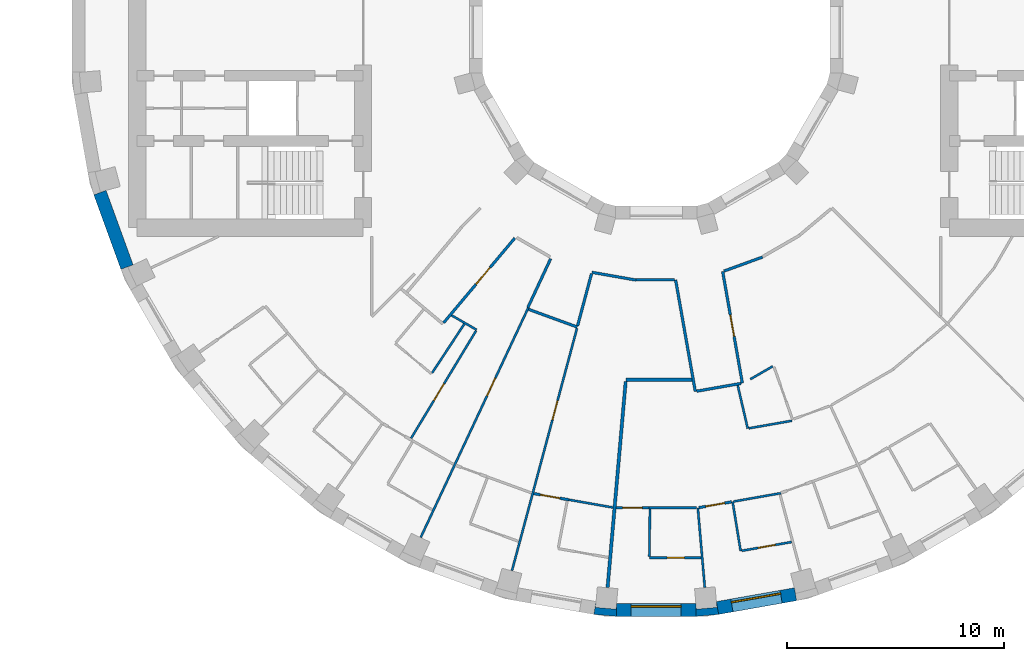
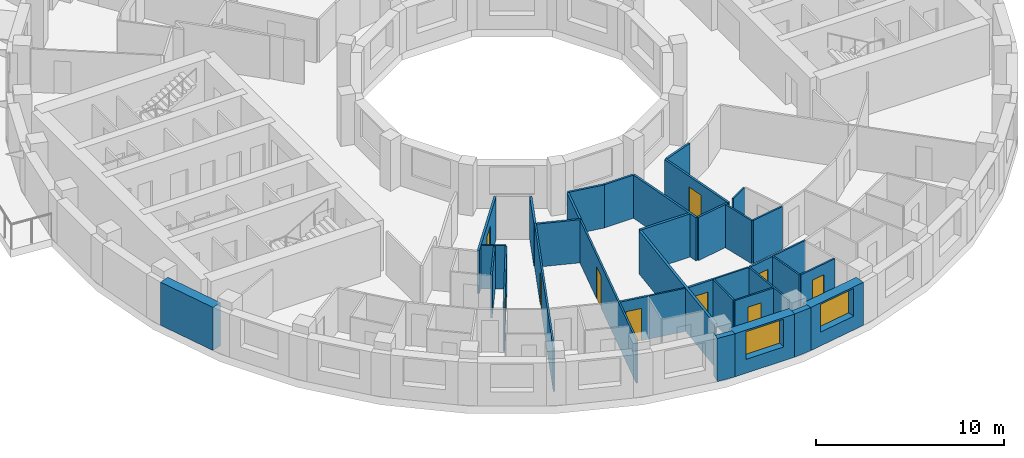
# One storey, part 5 of 14: 36 walls, 10 doors, 2 windows, 12 openings.
"""IFC4 building model written with IfcOpenShell, lengths in metres."""

from ifc_helpers import new_model, si_unit, direction, frame, frame_2d, origin, place, context, subcontext, project, spatial, polyline, rectangle, outline, extrude, material, layer, layer_set, type_object, element, fill, save


model = new_model("IFC4")

# Units and contexts
model_context = context("Model", 3, precision=1e-05, world=origin(), true_north=direction((0.0, 1.0)))
body_context = subcontext(model_context, "Body", "Model", "MODEL_VIEW")
ifc_project = project(units=[si_unit("LENGTHUNIT", "METRE"), si_unit("AREAUNIT", "SQUARE_METRE"), si_unit("VOLUMEUNIT", "CUBIC_METRE"), si_unit("PLANEANGLEUNIT", "RADIAN"), si_unit("MASSUNIT", "GRAM", prefix="KILO")], contexts=[model_context])

# Site, building, storey
site_placement = place(None, origin())
site = spatial("IfcSite", under=ifc_project, at=site_placement, CompositionType="ELEMENT")
building_placement = place(site_placement, origin())
building = spatial("IfcBuilding", under=site, at=building_placement, Name="Saqina Gate Tower", CompositionType="ELEMENT")
storey_placement = place(building_placement, frame((0.0, 0.0, 101.800048828125)))
storey = spatial("IfcBuildingStorey", under=building, at=storey_placement, Name="L28", CompositionType="ELEMENT", Elevation=101.800048828125)

# Walls
ifc_material_1 = material(Name="Brick masonry (buff)", Category="masonry")
wall_type_1 = type_object("IfcWallType", Name="BRICK PIER COPING BUFF", PredefinedType="SOLIDWALL", material=ifc_material_1)
wall_1_placement = place(storey_placement, origin())
element("IfcWall", 1, at=wall_1_placement, inside=storey, type_object=wall_type_1, Name="Pier cap L28 column 27", PredefinedType="SOLIDWALL", context=body_context, shape_type="SweptSolid", body=[
    extrude(outline(polyline([(-2.87451171875, -26.805419921875), (-1.823974609375, -26.897216796875), (-1.823974609375, -26.29736328125), (-1.847412109375, -26.565185546875), (-2.793701171875, -26.482421875), (-2.770263671875, -26.214599609375), (-2.87451171875, -26.805419921875)])), origin(), (0.0, 0.0, 1.0), 2.800048828125),
])
wall_2_placement = place(storey_placement, origin())
element("IfcWall", 2, at=wall_2_placement, inside=storey, type_object=wall_type_1, Name="Pier cap L28 column 28", PredefinedType="SOLIDWALL", context=body_context, shape_type="SweptSolid", body=[
    extrude(outline(polyline([(2.87451171875, -26.805419921875), (2.770263671875, -26.214599609375), (2.793701171875, -26.482421875), (1.847412109375, -26.565185546875), (1.823974609375, -26.29736328125), (1.823974609375, -26.897216796875), (2.87451171875, -26.805419921875)])), origin(), (0.0, 0.0, 1.0), 2.800048828125),
])

# Wall, opening, window
ifc_material_2 = material(Name="Brick masonry (buff)", Category="masonry")
ifc_layer_1 = layer(ifc_material_2, 0.60009765625)
ifc_layer_set_1 = layer_set([ifc_layer_1], Name="FW-BRICK-BUFF")
wall_type_2 = type_object("IfcWallType", Name="FW-BRICK-BUFF", PredefinedType="SOLIDWALL", material=ifc_layer_set_1)
wall_3_placement = place(storey_placement, frame((-1.823974609375, -26.59716796875, 0.0), z_axis=(0.0, 0.0, 1.0), x_axis=(1.0, 0.0, 0.0)))
wall_3 = element("IfcWall", 3, at=wall_3_placement, inside=storey, type_object=wall_type_2, Name="Facade wall L28 facet 27", PredefinedType="SOLIDWALL", context=body_context, shape_type="SweptSolid", body=[
    extrude(rectangle(XDim=3.64794921875, YDim=0.60009765625, at=frame_2d((1.823974609375, 0.0))), origin(), (0.0, 0.0, 1.0), 2.800048828125),
])
opening_1_placement = place(wall_3_placement, frame((0.673828125, 0.0, 0.89990234375)))
opening_1 = element("IfcOpeningElement", 4, at=opening_1_placement, cuts=wall_3, Name="Opening G08-W16", PredefinedType="OPENING", context=body_context, shape_type="SweptSolid", body=[
    extrude(rectangle(XDim=2.300048828125, YDim=1.800048828125, at=frame_2d((1.14990234375, 0.89990234375))), frame((0.0, 0.31201171875, 0.0), z_axis=(0.0, -1.0, 0.0), x_axis=(1.0, 0.0, 0.0)), (0.0, 0.0, 1.0), 0.6240234375),
])
ifc_material_3 = material(Name="Aluminium glazing", Category="aluminium")
window_type = type_object("IfcWindowType", Name="WN-B", PartitioningType="SINGLE_PANEL", PredefinedType="WINDOW", material=ifc_material_3)
window_1_placement = place(opening_1_placement, origin())
window_1 = element("IfcWindow", 5, at=window_1_placement, inside=storey, type_object=window_type, Name="Window L28 facet 27", OverallHeight=1.800048828125, OverallWidth=2.300048828125, PartitioningType="SINGLE_PANEL", PredefinedType="WINDOW", context=body_context, shape_type="SweptSolid", body=[
    extrude(rectangle(XDim=2.300048828125, YDim=1.800048828125, at=frame_2d((1.14990234375, 0.89990234375))), frame((0.0, 0.179931640625, 0.0), z_axis=(0.0, -1.0, 0.0), x_axis=(1.0, 0.0, 0.0)), (0.0, 0.0, 1.0), 0.06005859375),
])
fill(opening_1, window_1)

wall_4_placement = place(storey_placement, frame((2.822265625, -26.510009765625, 0.0), z_axis=(0.0, 0.0, 1.0), x_axis=(0.984803764455, 0.173670796382, 0.0)))
wall_4 = element("IfcWall", 6, at=wall_4_placement, inside=storey, type_object=wall_type_2, Name="Facade wall L28 facet 28", PredefinedType="SOLIDWALL", context=body_context, shape_type="SweptSolid", body=[
    extrude(rectangle(XDim=3.64794921875, YDim=0.60009765625, at=frame_2d((1.823974609375, 0.0))), origin(), (0.0, 0.0, 1.0), 2.800048828125),
])
opening_2_placement = place(wall_4_placement, frame((0.673828125, 0.0, 0.89990234375)))
opening_2 = element("IfcOpeningElement", 7, at=opening_2_placement, cuts=wall_4, Name="Opening G08-W17", PredefinedType="OPENING", context=body_context, shape_type="SweptSolid", body=[
    extrude(rectangle(XDim=2.300048828125, YDim=1.800048828125, at=frame_2d((1.14990234375, 0.89990234375))), frame((0.0, 0.31201171875, 0.0), z_axis=(0.0, -1.0, 0.0), x_axis=(1.0, 0.0, 0.0)), (0.0, 0.0, 1.0), 0.6240234375),
])
window_2_placement = place(opening_2_placement, origin())
window_2 = element("IfcWindow", 8, at=window_2_placement, inside=storey, type_object=window_type, Name="Window L28 facet 28", OverallHeight=1.800048828125, OverallWidth=2.300048828125, PartitioningType="SINGLE_PANEL", PredefinedType="WINDOW", context=body_context, shape_type="SweptSolid", body=[
    extrude(rectangle(XDim=2.300048828125, YDim=1.800048828125, at=frame_2d((1.14990234375, 0.89990234375))), frame((0.0, 0.179931640625, 0.0), z_axis=(0.0, -1.0, 0.0), x_axis=(1.0, 0.0, 0.0)), (0.0, 0.0, 1.0), 0.06005859375),
])
fill(opening_2, window_2)

# Walls
ifc_material_4 = material(Name="Glazed ceramic tile (white)", Category="ceramic")
ifc_layer_2 = layer(ifc_material_4, 0.60009765625)
ifc_layer_set_2 = layer_set([ifc_layer_2], Name="FW-TILE-WH")
wall_type_3 = type_object("IfcWallType", Name="FW-TILE-WH", PredefinedType="SOLIDWALL", material=ifc_layer_set_2)
wall_5_placement = place(storey_placement, frame((-25.616943359375, -7.3828125, 0.0), z_axis=(0.0, 0.0, 1.0), x_axis=(0.341990236633, -0.939703505393, 0.0)))
element("IfcWall", 9, at=wall_5_placement, inside=storey, type_object=wall_type_3, Name="Facade wall L28 facet 20", PredefinedType="SOLIDWALL", context=body_context, shape_type="SweptSolid", body=[
    extrude(rectangle(XDim=3.64794921875, YDim=0.60009765625, at=frame_2d((1.823974609375, 0.0))), origin(), (0.0, 0.0, 1.0), 2.800048828125),
])
ifc_material_5 = material(Name="Gypsum board on steel studs, 100 mm", Category="steel")
ifc_layer_3 = layer(ifc_material_5, 0.10009765625)
ifc_layer_set_3 = layer_set([ifc_layer_3], Name="PARTITION 100")
wall_type_4 = type_object("IfcWallType", Name="PARTITION 100", PredefinedType="PARTITIONING", material=ifc_layer_set_3)
wall_6_placement = place(storey_placement, frame((1.916015625, -21.89697265625, 0.0), z_axis=(0.0, 0.0, 1.0), x_axis=(0.087069954148, -0.996202199899, 0.0)))
element("IfcWall", 10, at=wall_6_placement, inside=storey, type_object=wall_type_4, Name="PARTITION PW3-02", PredefinedType="PARTITIONING", context=body_context, shape_type="SweptSolid", body=[
    extrude(rectangle(XDim=3.684326171875, YDim=0.10009765625, at=frame_2d((1.84228515625, 0.0))), origin(), (0.0, 0.0, 1.0), 2.800048828125),
])
wall_7_placement = place(storey_placement, frame((3.51806640625, -21.614990234375, 0.0), z_axis=(0.0, 0.0, 1.0), x_axis=(0.160403826344, -0.987051474085, 0.0)))
element("IfcWall", 11, at=wall_7_placement, inside=storey, type_object=wall_type_4, Name="PARTITION PW3-04", PredefinedType="PARTITIONING", context=body_context, shape_type="SweptSolid", body=[
    extrude(rectangle(XDim=2.2998046875, YDim=0.10009765625, at=frame_2d((1.14990234375, 0.0))), origin(), (0.0, 0.0, 1.0), 2.800048828125),
])
wall_8_placement = place(storey_placement, frame((3.752685546875, -16.258056640625, 0.0), z_axis=(0.0, 0.0, 1.0), x_axis=(0.22577693712, -0.974179025983, 0.0)))
element("IfcWall", 12, at=wall_8_placement, inside=storey, type_object=wall_type_4, Name="PARTITION PW3-06", PredefinedType="PARTITIONING", context=body_context, shape_type="SweptSolid", body=[
    extrude(rectangle(XDim=2.04052734375, YDim=0.10009765625, at=frame_2d((1.020263671875, 0.0))), origin(), (0.0, 0.0, 1.0), 2.800048828125),
])
wall_9_placement = place(storey_placement, frame((-9.421875, -13.03515625, 0.0), z_axis=(0.0, 0.0, 1.0), x_axis=(0.866041828806, -0.499971549949, 0.0)))
element("IfcWall", 13, at=wall_9_placement, inside=storey, type_object=wall_type_4, Name="PARTITION PW3-30", PredefinedType="PARTITIONING", context=body_context, shape_type="SweptSolid", body=[
    extrude(rectangle(XDim=1.3291015625, YDim=0.10009765625, at=frame_2d((0.66455078125, 0.0))), origin(), (0.0, 0.0, 1.0), 2.800048828125),
])
wall_10_placement = place(storey_placement, frame((-4.025390625, -21.52490234375, 0.0), z_axis=(0.0, 0.0, 1.0), x_axis=(0.984791880798, -0.173738169424, 0.0)))
element("IfcWall", 14, at=wall_10_placement, inside=storey, type_object=wall_type_4, Name="PARTITION PW3-38", PredefinedType="PARTITIONING", context=body_context, shape_type="SweptSolid", body=[
    extrude(rectangle(XDim=2.067138671875, YDim=0.10009765625, at=frame_2d((1.03369140625, 0.0))), origin(), (0.0, 0.0, 1.0), 2.800048828125),
])

# Wall, opening, door
wall_11_placement = place(storey_placement, frame((-0.319091796875, -24.197021484375, 0.0), z_axis=(0.0, 0.0, 1.0), x_axis=(1.0, 0.0, 0.0)))
wall_11 = element("IfcWall", 15, at=wall_11_placement, inside=storey, type_object=wall_type_4, Name="PARTITION PW3-42", PredefinedType="PARTITIONING", context=body_context, shape_type="SweptSolid", body=[
    extrude(rectangle(XDim=2.385986328125, YDim=0.10009765625, at=frame_2d((1.19287109375, 0.0))), origin(), (0.0, 0.0, 1.0), 2.800048828125),
])
opening_3_placement = place(wall_11_placement, frame((0.818115234375, 0.0, 0.0)))
opening_3 = element("IfcOpeningElement", 16, at=opening_3_placement, cuts=wall_11, Name="Opening G08-D38", PredefinedType="OPENING", context=body_context, shape_type="SweptSolid", body=[
    extrude(rectangle(XDim=0.800048828125, YDim=2.10009765625, at=frame_2d((0.39990234375, 1.050048828125))), frame((0.0, 0.06201171875, 0.0), z_axis=(0.0, -1.0, 0.0), x_axis=(1.0, 0.0, 0.0)), (0.0, 0.0, 1.0), 0.1240234375),
])
ifc_material_6 = material(Name="Timber door leaf, 800 mm", Category="wood")
door_type_1 = type_object("IfcDoorType", Name="DOOR 800 TIMBER", OperationType="SINGLE_SWING_LEFT", PredefinedType="DOOR", material=ifc_material_6)
door_1_placement = place(opening_3_placement, frame((0.800048828125, 0.0, 0.0), z_axis=(0.0, 0.0, 1.0), x_axis=(-1.0, 0.0, 0.0)))
door_1 = element("IfcDoor", 17, at=door_1_placement, inside=storey, type_object=door_type_1, Name="DOOR G08-D38", OperationType="SINGLE_SWING_LEFT", OverallHeight=2.10009765625, OverallWidth=0.800048828125, PredefinedType="DOOR", context=body_context, shape_type="SweptSolid", body=[
    extrude(rectangle(XDim=0.800048828125, YDim=2.10009765625, at=frame_2d((0.39990234375, 1.050048828125))), frame((0.0, 0.02490234375, 0.0), z_axis=(0.0, -1.0, 0.0), x_axis=(1.0, 0.0, 0.0)), (0.0, 0.0, 1.0), 0.050048828125),
])
fill(opening_3, door_1)

# Wall
wall_12_placement = place(storey_placement, frame((-0.339111328125, -21.89697265625, 0.0), z_axis=(0.0, 0.0, 1.0), x_axis=(1.0, 0.0, 0.0)))
element("IfcWall", 18, at=wall_12_placement, inside=storey, type_object=wall_type_4, Name="PARTITION PW3-43", PredefinedType="PARTITIONING", context=body_context, shape_type="SweptSolid", body=[
    extrude(rectangle(XDim=2.205078125, YDim=0.10009765625, at=frame_2d((1.1025390625, 0.0))), origin(), (0.0, 0.0, 1.0), 2.800048828125),
])

# Wall, opening, door
wall_13_placement = place(storey_placement, frame((3.936279296875, -23.876220703125, 0.0), z_axis=(0.0, 0.0, 1.0), x_axis=(0.98482979879, 0.173523103404, 0.0)))
wall_13 = element("IfcWall", 19, at=wall_13_placement, inside=storey, type_object=wall_type_4, Name="PARTITION PW3-47", PredefinedType="PARTITIONING", context=body_context, shape_type="SweptSolid", body=[
    extrude(rectangle(XDim=2.3369140625, YDim=0.10009765625, at=frame_2d((1.16845703125, 0.0))), origin(), (0.0, 0.0, 1.0), 2.800048828125),
])
opening_4_placement = place(wall_13_placement, frame((0.7685546875, 0.0, 0.0)))
opening_4 = element("IfcOpeningElement", 20, at=opening_4_placement, cuts=wall_13, Name="Opening G08-D40", PredefinedType="OPENING", context=body_context, shape_type="SweptSolid", body=[
    extrude(rectangle(XDim=0.800048828125, YDim=2.10009765625, at=frame_2d((0.39990234375, 1.050048828125))), frame((0.0, 0.06201171875, 0.0), z_axis=(0.0, -1.0, 0.0), x_axis=(1.0, 0.0, 0.0)), (0.0, 0.0, 1.0), 0.1240234375),
])
door_2_placement = place(opening_4_placement, frame((0.800048828125, 0.0, 0.0), z_axis=(0.0, 0.0, 1.0), x_axis=(-1.0, 0.0, 0.0)))
door_2 = element("IfcDoor", 21, at=door_2_placement, inside=storey, type_object=door_type_1, Name="DOOR G08-D40", OperationType="SINGLE_SWING_LEFT", OverallHeight=2.10009765625, OverallWidth=0.800048828125, PredefinedType="DOOR", context=body_context, shape_type="SweptSolid", body=[
    extrude(rectangle(XDim=0.800048828125, YDim=2.10009765625, at=frame_2d((0.39990234375, 1.050048828125))), frame((0.0, 0.02490234375, 0.0), z_axis=(0.0, -1.0, 0.0), x_axis=(1.0, 0.0, 0.0)), (0.0, 0.0, 1.0), 0.050048828125),
])
fill(opening_4, door_2)

# Walls
wall_14_placement = place(storey_placement, frame((3.567138671875, -21.606201171875, 0.0), z_axis=(0.0, 0.0, 1.0), x_axis=(0.984800270927, 0.173690605338, 0.0)))
element("IfcWall", 22, at=wall_14_placement, inside=storey, type_object=wall_type_4, Name="PARTITION PW3-48", PredefinedType="PARTITIONING", context=body_context, shape_type="SweptSolid", body=[
    extrude(rectangle(XDim=2.205322265625, YDim=0.10009765625, at=frame_2d((1.1025390625, 0.0))), origin(), (0.0, 0.0, 1.0), 2.800048828125),
])
wall_15_placement = place(storey_placement, frame((4.26318359375, -18.237060546875, 0.0), z_axis=(0.0, 0.0, 1.0), x_axis=(0.984827477251, 0.173536278777, 0.0)))
element("IfcWall", 23, at=wall_15_placement, inside=storey, type_object=wall_type_4, Name="PARTITION PW3-49", PredefinedType="PARTITIONING", context=body_context, shape_type="SweptSolid", body=[
    extrude(rectangle(XDim=2.01318359375, YDim=0.10009765625, at=frame_2d((1.006591796875, 0.0))), origin(), (0.0, 0.0, 1.0), 2.800048828125),
])
wall_16_placement = place(storey_placement, frame((4.331298828125, -15.976806640625, 0.0), z_axis=(0.0, 0.0, 1.0), x_axis=(0.86607987314, 0.499905644439, 0.0)))
element("IfcWall", 24, at=wall_16_placement, inside=storey, type_object=wall_type_4, Name="PARTITION PW3-64", PredefinedType="PARTITIONING", context=body_context, shape_type="SweptSolid", body=[
    extrude(rectangle(XDim=1.192138671875, YDim=0.10009765625, at=frame_2d((0.59619140625, 0.0))), origin(), (0.0, 0.0, 1.0), 2.800048828125),
])
wall_17_placement = place(storey_placement, frame((-10.319091796875, -15.684326171875, 0.0), z_axis=(0.0, 0.0, 1.0), x_axis=(0.549631473795, 0.835407231842, 0.0)))
element("IfcWall", 25, at=wall_17_placement, inside=storey, type_object=wall_type_4, Name="PARTITION PW3-79", PredefinedType="PARTITIONING", context=body_context, shape_type="SweptSolid", body=[
    extrude(rectangle(XDim=2.6953125, YDim=0.10009765625, at=frame_2d((1.34765625, 0.0))), origin(), (0.0, 0.0, 1.0), 2.800048828125),
])

# Wall, opening, door
wall_18_placement = place(storey_placement, frame((-11.287109375, -18.694580078125, 0.0), z_axis=(0.0, 0.0, 1.0), x_axis=(0.516964841348, 0.856006631288, 0.0)))
wall_18 = element("IfcWall", 26, at=wall_18_placement, inside=storey, type_object=wall_type_4, Name="PARTITION PW3-80", PredefinedType="PARTITIONING", context=body_context, shape_type="SweptSolid", body=[
    extrude(rectangle(XDim=5.7822265625, YDim=0.10009765625, at=frame_2d((2.89111328125, 0.0))), origin(), (0.0, 0.0, 1.0), 2.800048828125),
])
opening_5_placement = place(wall_18_placement, frame((2.034912109375, 0.0, 0.0)))
opening_5 = element("IfcOpeningElement", 27, at=opening_5_placement, cuts=wall_18, Name="Opening G08-D29", PredefinedType="OPENING", context=body_context, shape_type="SweptSolid", body=[
    extrude(rectangle(XDim=0.89990234375, YDim=2.10009765625, at=frame_2d((0.449951171875, 1.050048828125))), frame((0.0, 0.06201171875, 0.0), z_axis=(0.0, -1.0, 0.0), x_axis=(1.0, 0.0, 0.0)), (0.0, 0.0, 1.0), 0.1240234375),
])
ifc_material_7 = material(Name="Timber door leaf, 900 mm", Category="wood")
door_type_2 = type_object("IfcDoorType", Name="DOOR 900 TIMBER", OperationType="SINGLE_SWING_LEFT", PredefinedType="DOOR", material=ifc_material_7)
door_3_placement = place(opening_5_placement, origin())
door_3 = element("IfcDoor", 28, at=door_3_placement, inside=storey, type_object=door_type_2, Name="DOOR G08-D29", OperationType="SINGLE_SWING_RIGHT", OverallHeight=2.10009765625, OverallWidth=0.89990234375, PredefinedType="DOOR", context=body_context, shape_type="SweptSolid", body=[
    extrude(rectangle(XDim=0.89990234375, YDim=2.10009765625, at=frame_2d((0.449951171875, 1.050048828125))), frame((0.0, 0.02490234375, 0.0), z_axis=(0.0, -1.0, 0.0), x_axis=(1.0, 0.0, 0.0)), (0.0, 0.0, 1.0), 0.050048828125),
])
fill(opening_5, door_3)

wall_19_placement = place(storey_placement, frame((-10.845458984375, -23.260986328125, 0.0), z_axis=(0.0, 0.0, 1.0), x_axis=(0.424206154739, 0.905565645484, 0.0)))
wall_19 = element("IfcWall", 29, at=wall_19_placement, inside=storey, type_object=wall_type_4, Name="PARTITION PW3-83", PredefinedType="PARTITIONING", context=body_context, shape_type="SweptSolid", body=[
    extrude(rectangle(XDim=11.674560546875, YDim=0.10009765625, at=frame_2d((5.83740234375, 0.0))), origin(), (0.0, 0.0, 1.0), 2.800048828125),
])
opening_6_placement = place(wall_19_placement, frame((7.19921875, 0.0, 0.0)))
opening_6 = element("IfcOpeningElement", 30, at=opening_6_placement, cuts=wall_19, Name="Opening G08-D31", PredefinedType="OPENING", context=body_context, shape_type="SweptSolid", body=[
    extrude(rectangle(XDim=0.89990234375, YDim=2.10009765625, at=frame_2d((0.449951171875, 1.050048828125))), frame((0.0, 0.06201171875, 0.0), z_axis=(0.0, -1.0, 0.0), x_axis=(1.0, 0.0, 0.0)), (0.0, 0.0, 1.0), 0.1240234375),
])
door_4_placement = place(opening_6_placement, frame((0.89990234375, 0.0, 0.0), z_axis=(0.0, 0.0, 1.0), x_axis=(-1.0, 0.0, 0.0)))
door_4 = element("IfcDoor", 31, at=door_4_placement, inside=storey, type_object=door_type_2, Name="DOOR G08-D31", OperationType="SINGLE_SWING_LEFT", OverallHeight=2.10009765625, OverallWidth=0.89990234375, PredefinedType="DOOR", context=body_context, shape_type="SweptSolid", body=[
    extrude(rectangle(XDim=0.89990234375, YDim=2.10009765625, at=frame_2d((0.449951171875, 1.050048828125))), frame((0.0, 0.02490234375, 0.0), z_axis=(0.0, -1.0, 0.0), x_axis=(1.0, 0.0, 0.0)), (0.0, 0.0, 1.0), 0.050048828125),
])
fill(opening_6, door_4)

wall_20_placement = place(storey_placement, frame((-6.642333984375, -24.79052734375, 0.0), z_axis=(0.0, 0.0, 1.0), x_axis=(0.259103074619, 0.965849676049, 0.0)))
wall_20 = element("IfcWall", 32, at=wall_20_placement, inside=storey, type_object=wall_type_4, Name="PARTITION PW3-88", PredefinedType="PARTITIONING", context=body_context, shape_type="SweptSolid", body=[
    extrude(rectangle(XDim=11.549072265625, YDim=0.10009765625, at=frame_2d((5.7744140625, 0.0))), origin(), (0.0, 0.0, 1.0), 2.800048828125),
])
opening_7_placement = place(wall_20_placement, frame((7.19873046875, 0.0, 0.0)))
opening_7 = element("IfcOpeningElement", 33, at=opening_7_placement, cuts=wall_20, Name="Opening G08-D34", PredefinedType="OPENING", context=body_context, shape_type="SweptSolid", body=[
    extrude(rectangle(XDim=0.89990234375, YDim=2.10009765625, at=frame_2d((0.449951171875, 1.050048828125))), frame((0.0, 0.06201171875, 0.0), z_axis=(0.0, -1.0, 0.0), x_axis=(1.0, 0.0, 0.0)), (0.0, 0.0, 1.0), 0.1240234375),
])
door_5_placement = place(opening_7_placement, frame((0.89990234375, 0.0, 0.0), z_axis=(0.0, 0.0, 1.0), x_axis=(-1.0, 0.0, 0.0)))
door_5 = element("IfcDoor", 34, at=door_5_placement, inside=storey, type_object=door_type_2, Name="DOOR G08-D34", OperationType="SINGLE_SWING_LEFT", OverallHeight=2.10009765625, OverallWidth=0.89990234375, PredefinedType="DOOR", context=body_context, shape_type="SweptSolid", body=[
    extrude(rectangle(XDim=0.89990234375, YDim=2.10009765625, at=frame_2d((0.449951171875, 1.050048828125))), frame((0.0, 0.02490234375, 0.0), z_axis=(0.0, -1.0, 0.0), x_axis=(1.0, 0.0, 0.0)), (0.0, 0.0, 1.0), 0.050048828125),
])
fill(opening_7, door_5)

# Walls
wall_21_placement = place(storey_placement, frame((-0.318359375, -24.14697265625, 0.0), z_axis=(0.0, 0.0, 1.0), x_axis=(0.013056922579, 0.999914754753, 0.0)))
element("IfcWall", 35, at=wall_21_placement, inside=storey, type_object=wall_type_4, Name="PARTITION PW3-93", PredefinedType="PARTITIONING", context=body_context, shape_type="SweptSolid", body=[
    extrude(rectangle(XDim=2.187744140625, YDim=0.10009765625, at=frame_2d((1.09375, 0.0))), origin(), (0.0, 0.0, 1.0), 2.800048828125),
])
ifc_material_8 = material(Name="Gypsum board on steel studs, 125 mm, fire rated", Category="steel")
ifc_layer_4 = layer(ifc_material_8, 0.125)
ifc_layer_set_4 = layer_set([ifc_layer_4], Name="PARTITION EI 30 125")
wall_type_5 = type_object("IfcWallType", Name="PARTITION EI 30 125", PredefinedType="PARTITIONING", material=ifc_layer_set_4)
wall_22_placement = place(storey_placement, frame((0.89306640625, -11.39990234375, 0.0), z_axis=(0.0, 0.0, 1.0), x_axis=(0.173617189854, -0.984813216497, 0.0)))
element("IfcWall", 36, at=wall_22_placement, inside=storey, type_object=wall_type_5, Name="PARTITION PW1-01", PredefinedType="PARTITIONING", context=body_context, shape_type="SweptSolid", body=[
    extrude(rectangle(XDim=5.218505859375, YDim=0.125, at=frame_2d((2.609375, 0.0))), origin(), (0.0, 0.0, 1.0), 2.800048828125),
])

# Wall, opening, door
wall_23_placement = place(storey_placement, frame((3.06005859375, -11.0185546875, 0.0), z_axis=(0.0, 0.0, 1.0), x_axis=(0.173641190819, -0.984808984956, 0.0)))
wall_23 = element("IfcWall", 37, at=wall_23_placement, inside=storey, type_object=wall_type_5, Name="PARTITION PW1-02", PredefinedType="PARTITIONING", context=body_context, shape_type="SweptSolid", body=[
    extrude(rectangle(XDim=5.2177734375, YDim=0.125, at=frame_2d((2.60888671875, 0.0))), origin(), (0.0, 0.0, 1.0), 2.800048828125),
])
opening_8_placement = place(wall_23_placement, frame((2.02880859375, 0.0, 0.0)))
opening_8 = element("IfcOpeningElement", 38, at=opening_8_placement, cuts=wall_23, Name="Opening G08-D41", PredefinedType="OPENING", context=body_context, shape_type="SweptSolid", body=[
    extrude(rectangle(XDim=1.0, YDim=2.10009765625, at=frame_2d((0.5, 1.050048828125))), frame((0.0, 0.074462890625, 0.0), z_axis=(0.0, -1.0, 0.0), x_axis=(1.0, 0.0, 0.0)), (0.0, 0.0, 1.0), 0.14892578125),
])
ifc_material_9 = material(Name="Fire door leaf EI 30, 1000 mm")
door_type_3 = type_object("IfcDoorType", Name="DOOR 1000 EI 30", OperationType="SINGLE_SWING_LEFT", PredefinedType="DOOR", material=ifc_material_9)
door_6_placement = place(opening_8_placement, origin())
door_6 = element("IfcDoor", 39, at=door_6_placement, inside=storey, type_object=door_type_3, Name="DOOR G08-D41", OperationType="SINGLE_SWING_LEFT", OverallHeight=2.10009765625, OverallWidth=1.0, PredefinedType="DOOR", context=body_context, shape_type="SweptSolid", body=[
    extrude(rectangle(XDim=1.0, YDim=2.10009765625, at=frame_2d((0.5, 1.050048828125))), frame((0.0, 0.02490234375, 0.0), z_axis=(0.0, -1.0, 0.0), x_axis=(1.0, 0.0, 0.0)), (0.0, 0.0, 1.0), 0.050048828125),
])
fill(opening_8, door_6)

# Wall
wall_24_placement = place(storey_placement, frame((-5.879150390625, -12.75634765625, 0.0), z_axis=(0.0, 0.0, 1.0), x_axis=(0.939637973706, -0.342170247639, 0.0)))
element("IfcWall", 40, at=wall_24_placement, inside=storey, type_object=wall_type_5, Name="PARTITION PW1-19", PredefinedType="PARTITIONING", context=body_context, shape_type="SweptSolid", body=[
    extrude(rectangle(XDim=2.385986328125, YDim=0.125, at=frame_2d((1.19287109375, 0.0))), origin(), (0.0, 0.0, 1.0), 2.800048828125),
])

# Wall, opening, door
wall_25_placement = place(storey_placement, frame((-5.639892578125, -21.24072265625, 0.0), z_axis=(0.0, 0.0, 1.0), x_axis=(0.984569921273, -0.174991628724, 0.0)))
wall_25 = element("IfcWall", 41, at=wall_25_placement, inside=storey, type_object=wall_type_5, Name="PARTITION PW1-22", PredefinedType="PARTITIONING", context=body_context, shape_type="SweptSolid", body=[
    extrude(rectangle(XDim=1.639404296875, YDim=0.125, at=frame_2d((0.81982421875, 0.0))), origin(), (0.0, 0.0, 1.0), 2.800048828125),
])
opening_9_placement = place(wall_25_placement, frame((0.313232421875, 0.0, 0.0)))
opening_9 = element("IfcOpeningElement", 42, at=opening_9_placement, cuts=wall_25, Name="Opening G08-D35", PredefinedType="OPENING", context=body_context, shape_type="SweptSolid", body=[
    extrude(rectangle(XDim=0.89990234375, YDim=2.10009765625, at=frame_2d((0.449951171875, 1.050048828125))), frame((0.0, 0.074462890625, 0.0), z_axis=(0.0, -1.0, 0.0), x_axis=(1.0, 0.0, 0.0)), (0.0, 0.0, 1.0), 0.14892578125),
])
ifc_material_10 = material(Name="Fire door leaf EI 30, 900 mm")
door_type_4 = type_object("IfcDoorType", Name="DOOR 900 EI 30", OperationType="SINGLE_SWING_LEFT", PredefinedType="DOOR", material=ifc_material_10)
door_7_placement = place(opening_9_placement, origin())
door_7 = element("IfcDoor", 43, at=door_7_placement, inside=storey, type_object=door_type_4, Name="DOOR G08-D35", OperationType="SINGLE_SWING_LEFT", OverallHeight=2.10009765625, OverallWidth=0.89990234375, PredefinedType="DOOR", context=body_context, shape_type="SweptSolid", body=[
    extrude(rectangle(XDim=0.89990234375, YDim=2.10009765625, at=frame_2d((0.449951171875, 1.050048828125))), frame((0.0, 0.02490234375, 0.0), z_axis=(0.0, -1.0, 0.0), x_axis=(1.0, 0.0, 0.0)), (0.0, 0.0, 1.0), 0.050048828125),
])
fill(opening_9, door_7)

# Wall
wall_26_placement = place(storey_placement, frame((-2.9609375, -11.052001953125, 0.0), z_axis=(0.0, 0.0, 1.0), x_axis=(0.984777586027, -0.173819176329, 0.0)))
element("IfcWall", 44, at=wall_26_placement, inside=storey, type_object=wall_type_5, Name="PARTITION PW1-24", PredefinedType="PARTITIONING", context=body_context, shape_type="SweptSolid", body=[
    extrude(rectangle(XDim=2.0576171875, YDim=0.125, at=frame_2d((1.02880859375, 0.0))), origin(), (0.0, 0.0, 1.0), 2.800048828125),
])

# Wall, opening, door
wall_27_placement = place(storey_placement, frame((-1.841064453125, -21.89697265625, 0.0), z_axis=(0.0, 0.0, 1.0), x_axis=(1.0, 0.0, 0.0)))
wall_27 = element("IfcWall", 45, at=wall_27_placement, inside=storey, type_object=wall_type_5, Name="PARTITION PW1-26", PredefinedType="PARTITIONING", context=body_context, shape_type="SweptSolid", body=[
    extrude(rectangle(XDim=1.501953125, YDim=0.125, at=frame_2d((0.7509765625, 0.0))), origin(), (0.0, 0.0, 1.0), 2.800048828125),
])
opening_10_placement = place(wall_27_placement, frame((0.28857421875, 0.0, 0.0)))
opening_10 = element("IfcOpeningElement", 46, at=opening_10_placement, cuts=wall_27, Name="Opening G08-D37", PredefinedType="OPENING", context=body_context, shape_type="SweptSolid", body=[
    extrude(rectangle(XDim=0.89990234375, YDim=2.10009765625, at=frame_2d((0.449951171875, 1.050048828125))), frame((0.0, 0.074462890625, 0.0), z_axis=(0.0, -1.0, 0.0), x_axis=(1.0, 0.0, 0.0)), (0.0, 0.0, 1.0), 0.14892578125),
])
door_8_placement = place(opening_10_placement, origin())
door_8 = element("IfcDoor", 47, at=door_8_placement, inside=storey, type_object=door_type_4, Name="DOOR G08-D37", OperationType="SINGLE_SWING_LEFT", OverallHeight=2.10009765625, OverallWidth=0.89990234375, PredefinedType="DOOR", context=body_context, shape_type="SweptSolid", body=[
    extrude(rectangle(XDim=0.89990234375, YDim=2.10009765625, at=frame_2d((0.449951171875, 1.050048828125))), frame((0.0, 0.02490234375, 0.0), z_axis=(0.0, -1.0, 0.0), x_axis=(1.0, 0.0, 0.0)), (0.0, 0.0, 1.0), 0.050048828125),
])
fill(opening_10, door_8)

# Wall
wall_28_placement = place(storey_placement, frame((-0.9345703125, -11.39990234375, 0.0), z_axis=(0.0, 0.0, 1.0), x_axis=(1.0, 0.0, 0.0)))
element("IfcWall", 48, at=wall_28_placement, inside=storey, type_object=wall_type_5, Name="PARTITION PW1-27", PredefinedType="PARTITIONING", context=body_context, shape_type="SweptSolid", body=[
    extrude(rectangle(XDim=1.76513671875, YDim=0.125, at=frame_2d((0.882568359375, 0.0))), origin(), (0.0, 0.0, 1.0), 2.800048828125),
])

# Wall, opening, door
wall_29_placement = place(storey_placement, frame((1.96533203125, -21.888427734375, 0.0), z_axis=(0.0, 0.0, 1.0), x_axis=(0.984857531579, 0.173365632386, 0.0)))
wall_29 = element("IfcWall", 49, at=wall_29_placement, inside=storey, type_object=wall_type_5, Name="PARTITION PW1-31", PredefinedType="PARTITIONING", context=body_context, shape_type="SweptSolid", body=[
    extrude(rectangle(XDim=1.526611328125, YDim=0.125, at=frame_2d((0.76318359375, 0.0))), origin(), (0.0, 0.0, 1.0), 2.800048828125),
])
opening_11_placement = place(wall_29_placement, frame((0.313720703125, 0.0, 0.0)))
opening_11 = element("IfcOpeningElement", 50, at=opening_11_placement, cuts=wall_29, Name="Opening G08-D39", PredefinedType="OPENING", context=body_context, shape_type="SweptSolid", body=[
    extrude(rectangle(XDim=0.89990234375, YDim=2.10009765625, at=frame_2d((0.449951171875, 1.050048828125))), frame((0.0, 0.074462890625, 0.0), z_axis=(0.0, -1.0, 0.0), x_axis=(1.0, 0.0, 0.0)), (0.0, 0.0, 1.0), 0.14892578125),
])
door_9_placement = place(opening_11_placement, origin())
door_9 = element("IfcDoor", 51, at=door_9_placement, inside=storey, type_object=door_type_4, Name="DOOR G08-D39", OperationType="SINGLE_SWING_LEFT", OverallHeight=2.10009765625, OverallWidth=0.89990234375, PredefinedType="DOOR", context=body_context, shape_type="SweptSolid", body=[
    extrude(rectangle(XDim=0.89990234375, YDim=2.10009765625, at=frame_2d((0.449951171875, 1.050048828125))), frame((0.0, 0.02490234375, 0.0), z_axis=(0.0, -1.0, 0.0), x_axis=(1.0, 0.0, 0.0)), (0.0, 0.0, 1.0), 0.050048828125),
])
fill(opening_11, door_9)

# Walls
wall_30_placement = place(storey_placement, frame((1.8623046875, -16.52783203125, 0.0), z_axis=(0.0, 0.0, 1.0), x_axis=(0.984827380623, 0.173536827142, 0.0)))
element("IfcWall", 52, at=wall_30_placement, inside=storey, type_object=wall_type_5, Name="PARTITION PW1-32", PredefinedType="PARTITIONING", context=body_context, shape_type="SweptSolid", body=[
    extrude(rectangle(XDim=2.07373046875, YDim=0.125, at=frame_2d((1.036865234375, 0.0))), origin(), (0.0, 0.0, 1.0), 2.800048828125),
])
wall_31_placement = place(storey_placement, frame((3.118896484375, -10.9970703125, 0.0), z_axis=(0.0, 0.0, 1.0), x_axis=(0.939510386217, 0.342520414269, 0.0)))
element("IfcWall", 53, at=wall_31_placement, inside=storey, type_object=wall_type_5, Name="PARTITION PW1-35", PredefinedType="PARTITIONING", context=body_context, shape_type="SweptSolid", body=[
    extrude(rectangle(XDim=1.89111328125, YDim=0.125, at=frame_2d((0.945556640625, 0.0))), origin(), (0.0, 0.0, 1.0), 2.800048828125),
])

# Wall, opening, door
wall_32_placement = place(storey_placement, frame((-9.787841796875, -13.375244140625, 0.0), z_axis=(0.0, 0.0, 1.0), x_axis=(0.643234807085, 0.765668977401, 0.0)))
wall_32 = element("IfcWall", 54, at=wall_32_placement, inside=storey, type_object=wall_type_5, Name="PARTITION PW1-48", PredefinedType="PARTITIONING", context=body_context, shape_type="SweptSolid", body=[
    extrude(rectangle(XDim=5.0927734375, YDim=0.125, at=frame_2d((2.54638671875, 0.0))), origin(), (0.0, 0.0, 1.0), 2.800048828125),
])
opening_12_placement = place(wall_32_placement, frame((2.319580078125, 0.0, 0.0)))
opening_12 = element("IfcOpeningElement", 55, at=opening_12_placement, cuts=wall_32, Name="Opening G08-D27", PredefinedType="OPENING", context=body_context, shape_type="SweptSolid", body=[
    extrude(rectangle(XDim=1.0, YDim=2.10009765625, at=frame_2d((0.5, 1.050048828125))), frame((0.0, 0.074462890625, 0.0), z_axis=(0.0, -1.0, 0.0), x_axis=(1.0, 0.0, 0.0)), (0.0, 0.0, 1.0), 0.14892578125),
])
door_10_placement = place(opening_12_placement, frame((1.0, 0.0, 0.0), z_axis=(0.0, 0.0, 1.0), x_axis=(-1.0, 0.0, 0.0)))
door_10 = element("IfcDoor", 56, at=door_10_placement, inside=storey, type_object=door_type_3, Name="DOOR G08-D27", OperationType="SINGLE_SWING_LEFT", OverallHeight=2.10009765625, OverallWidth=1.0, PredefinedType="DOOR", context=body_context, shape_type="SweptSolid", body=[
    extrude(rectangle(XDim=1.0, YDim=2.10009765625, at=frame_2d((0.5, 1.050048828125))), frame((0.0, 0.02490234375, 0.0), z_axis=(0.0, -1.0, 0.0), x_axis=(1.0, 0.0, 0.0)), (0.0, 0.0, 1.0), 0.050048828125),
])
fill(opening_12, door_10)

# Walls
wall_33_placement = place(storey_placement, frame((-5.91259765625, -12.679931640625, 0.0), z_axis=(0.0, 0.0, 1.0), x_axis=(0.422627539676, 0.906303460606, 0.0)))
element("IfcWall", 57, at=wall_33_placement, inside=storey, type_object=wall_type_5, Name="PARTITION PW1-52", PredefinedType="PARTITIONING", context=body_context, shape_type="SweptSolid", body=[
    extrude(rectangle(XDim=2.487548828125, YDim=0.125, at=frame_2d((1.24365234375, 0.0))), origin(), (0.0, 0.0, 1.0), 2.800048828125),
])
wall_34_placement = place(storey_placement, frame((-3.620361328125, -13.51220703125, 0.0), z_axis=(0.0, 0.0, 1.0), x_axis=(0.258641119931, 0.965973483632, 0.0)))
element("IfcWall", 58, at=wall_34_placement, inside=storey, type_object=wall_type_5, Name="PARTITION PW1-54", PredefinedType="PARTITIONING", context=body_context, shape_type="SweptSolid", body=[
    extrude(rectangle(XDim=2.484375, YDim=0.125, at=frame_2d((1.2421875, 0.0))), origin(), (0.0, 0.0, 1.0), 2.800048828125),
])
ifc_material_11 = material(Name="Gypsum board on steel studs, 150 mm, fire rated", Category="steel")
ifc_layer_5 = layer(ifc_material_11, 0.14990234375)
ifc_layer_set_5 = layer_set([ifc_layer_5], Name="PARTITION EI 60 150")
wall_type_6 = type_object("IfcWallType", Name="PARTITION EI 60 150", PredefinedType="PARTITIONING", material=ifc_layer_set_5)
wall_35_placement = place(storey_placement, frame((-1.39990234375, -16.0, 0.0), z_axis=(0.0, 0.0, 1.0), x_axis=(1.0, 0.0, 0.0)))
element("IfcWall", 59, at=wall_35_placement, inside=storey, type_object=wall_type_6, Name="PARTITION PW2-02", PredefinedType="PARTITIONING", context=body_context, shape_type="SweptSolid", body=[
    extrude(rectangle(XDim=3.04150390625, YDim=0.14990234375, at=frame_2d((1.520751953125, 0.0))), origin(), (0.0, 0.0, 1.0), 2.800048828125),
])
wall_36_placement = place(storey_placement, frame((-2.240234375, -25.567138671875, 0.0), z_axis=(0.0, 0.0, 1.0), x_axis=(0.087555048891, 0.996159682688, 0.0)))
element("IfcWall", 60, at=wall_36_placement, inside=storey, type_object=wall_type_6, Name="PARTITION PW2-03", PredefinedType="PARTITIONING", context=body_context, shape_type="SweptSolid", body=[
    extrude(rectangle(XDim=9.528076171875, YDim=0.14990234375, at=frame_2d((4.76416015625, 0.0))), origin(), (0.0, 0.0, 1.0), 2.800048828125),
])

save(model, "model.ifc")
